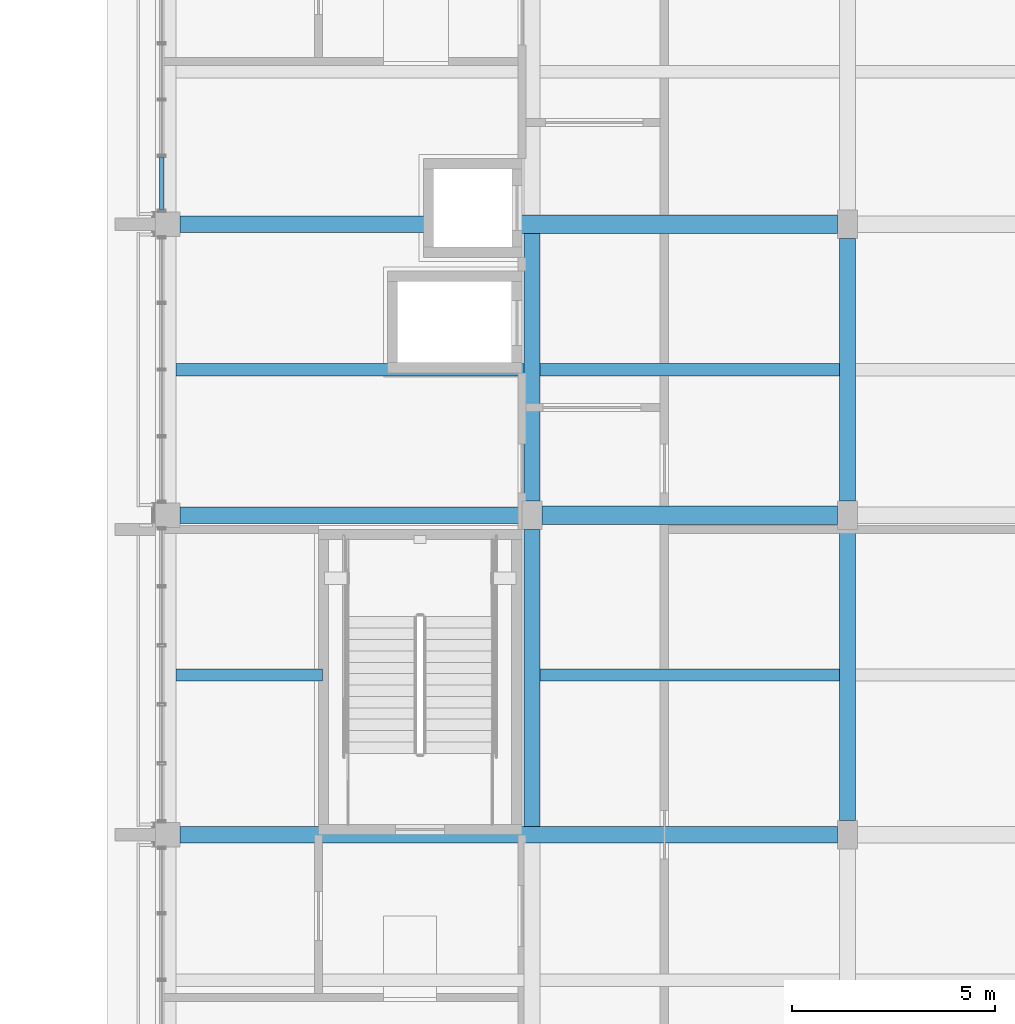
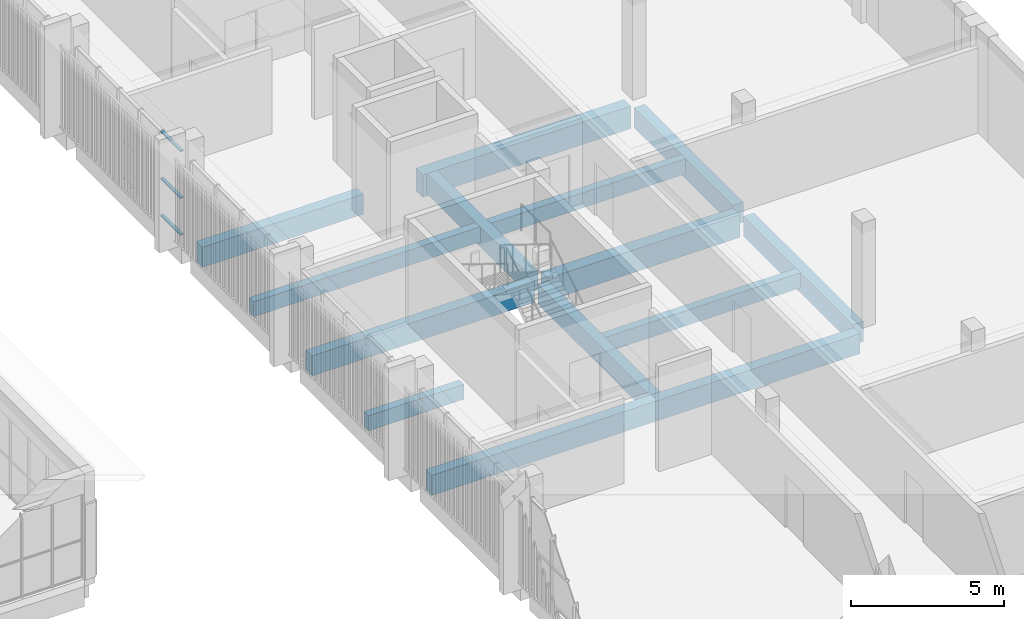
# One storey, part 31 of 92: 13 beams, 3 members, 1 element without a shape of its own.
"""IFC4 building model written with IfcOpenShell, lengths in metres."""

import ifcopenshell
import ifcopenshell.guid

model = None  # the IFC model being written
_history = None  # IfcOwnerHistory: only IFC2X3 demands one
_inside = {}  # id of a spatial element -> (the spatial element, [elements in it])
_under = {}  # id of a project, library or spatial element -> (it, [spatial elements below it])
_declared = {}  # id of a project -> (the project, [libraries it declares])
_typed = {}  # id of a type object -> (the type object, [elements of that type])
_made_of = {}  # id of a material, layer set ... -> (it, [elements and type objects made of it])


def new_model(schema):
    """Start an empty IFC model of exactly this schema.

    Asked for "IFC4X3", IfcOpenShell would pick the latest addendum, in which some entities
    have other attributes; the version numbers below select the first issue.
    IFC2X3 requires an IfcOwnerHistory on every rooted entity: one is made here for all.
    """
    global model, _history
    if schema == "IFC4X3":
        model = ifcopenshell.file(schema_version=(4, 3, 0, 0))
    else:
        model = ifcopenshell.file(schema=schema)
    _inside.clear()
    _under.clear()
    _declared.clear()
    _typed.clear()
    _made_of.clear()
    _history = None
    if model.schema == "IFC2X3":
        org = make("IfcOrganization", Name="unknown")
        user = make(
            "IfcPersonAndOrganization",
            ThePerson=make("IfcPerson", FamilyName="unknown"),
            TheOrganization=org,
        )
        app = make(
            "IfcApplication",
            ApplicationDeveloper=org,
            Version="unknown",
            ApplicationFullName="unknown",
            ApplicationIdentifier="unknown",
        )
        _history = make(
            "IfcOwnerHistory",
            OwningUser=user,
            OwningApplication=app,
            ChangeAction="ADDED",
            CreationDate=0,
        )
    return model


def make(cls, **values):
    """One entity of the class cls with the attributes given. An attribute that is None is left unset."""
    return model.create_entity(
        cls, **{name: value for name, value in values.items() if value is not None}
    )


def rooted(cls, **values):
    """An entity with a GlobalId (a new one), such as an element, a storey or a relation."""
    return make(cls, GlobalId=ifcopenshell.guid.new(), OwnerHistory=_history, **values)


def si_unit(unit_type, name, prefix=None):
    """IfcSIUnit, for example si_unit("LENGTHUNIT", "METRE", prefix="MILLI")."""
    return make("IfcSIUnit", UnitType=unit_type, Prefix=prefix, Name=name)


def assignment(units):
    """IfcUnitAssignment: the units of a project."""
    return None if units is None else make("IfcUnitAssignment", Units=units)


def point(xyz):
    """IfcCartesianPoint."""
    return None if xyz is None else make("IfcCartesianPoint", Coordinates=xyz)


def direction(xyz):
    """IfcDirection."""
    return None if xyz is None else make("IfcDirection", DirectionRatios=xyz)


def frame(location, z_axis=None, x_axis=None):
    """IfcAxis2Placement3D, a coordinate frame: its origin and axes. An axis left out is left unset."""
    return make(
        "IfcAxis2Placement3D",
        Location=point(location),
        Axis=direction(z_axis),
        RefDirection=direction(x_axis),
    )


def frame_2d(location, x_axis=None):
    """IfcAxis2Placement2D, a coordinate frame in the plane: its origin and x axis."""
    return make(
        "IfcAxis2Placement2D", Location=point(location), RefDirection=direction(x_axis)
    )


def origin():
    """The frame at (0, 0, 0) with its axes left unset."""
    return frame((0.0, 0.0, 0.0))


def origin_2d():
    """The frame at (0, 0) in the plane with its x axis left unset."""
    return frame_2d((0.0, 0.0))


def place(relative_to, where):
    """IfcLocalPlacement: puts the frame where relative to a parent placement (None: the world)."""
    return make(
        "IfcLocalPlacement", PlacementRelTo=relative_to, RelativePlacement=where
    )


def context(
    kind, dimensions, precision=None, world=None, true_north=None, identifier=None
):
    """IfcGeometricRepresentationContext, for example the 3D "Model" context."""
    return make(
        "IfcGeometricRepresentationContext",
        ContextIdentifier=identifier,
        ContextType=kind,
        CoordinateSpaceDimension=dimensions,
        Precision=precision,
        WorldCoordinateSystem=world,
        TrueNorth=true_north,
    )


def subcontext(parent, identifier, kind, view, scale=None):
    """IfcGeometricRepresentationSubContext, for example "Body" below "Model"."""
    return make(
        "IfcGeometricRepresentationSubContext",
        ContextIdentifier=identifier,
        ContextType=kind,
        ParentContext=parent,
        TargetScale=scale,
        TargetView=view,
    )


def project(units=None, contexts=None):
    """IfcProject with its units and contexts."""
    return rooted(
        "IfcProject",
        Name="project",
        RepresentationContexts=contexts,
        UnitsInContext=assignment(units),
    )


def spatial(cls, under=None, at=None, **own):
    """A site, building, storey or space (cls), placed at a placement, below another one or the project."""
    s = rooted(cls, ObjectPlacement=at, **own)
    if under is not None:
        _under.setdefault(under.id(), (under, []))[1].append(s)
    return s


def profile(cls, at=None, kind="AREA", **sizes):
    """A parametric profile (cls). Its sizes go by their IFC names, for example OverallWidth=200.0."""
    return make(cls, ProfileType=kind, Position=at, **sizes)


def rectangle(**sizes):
    """IfcRectangleProfileDef."""
    return profile("IfcRectangleProfileDef", **sizes)


def hollow_rectangle(**sizes):
    """IfcRectangleHollowProfileDef."""
    return profile("IfcRectangleHollowProfileDef", **sizes)


def extrude(swept, where, along, depth):
    """IfcExtrudedAreaSolid: the profile swept, set in the frame where, extruded along a direction by depth."""
    return make(
        "IfcExtrudedAreaSolid",
        SweptArea=swept,
        Position=where,
        ExtrudedDirection=direction(along),
        Depth=depth,
    )


def shape(context_of_items, identifier, shape_type, items):
    """IfcShapeRepresentation: the items that make up one representation, for example the "Body"."""
    return make(
        "IfcShapeRepresentation",
        ContextOfItems=context_of_items,
        RepresentationIdentifier=identifier,
        RepresentationType=shape_type,
        Items=items,
    )


def material(Name=None, Category=None):
    """IfcMaterial."""
    return make("IfcMaterial", Name=Name, Category=Category)


def material_profile(
    of_material, cross_section, Name=None, Category=None, Priority=None
):
    """IfcMaterialProfile: a cross section and its material."""
    return make(
        "IfcMaterialProfile",
        Name=Name,
        Material=of_material,
        Profile=cross_section,
        Priority=Priority,
        Category=Category,
    )


def profile_set(profiles, Name=None, composite=None):
    """IfcMaterialProfileSet."""
    return make(
        "IfcMaterialProfileSet",
        Name=Name,
        MaterialProfiles=profiles,
        CompositeProfile=composite,
    )


def made_of(thing, what):
    """Note that an element or type object is made of a material, layer set ...; save() writes the relation."""
    if what is not None:
        _made_of.setdefault(what.id(), (what, []))[1].append(thing)
    return thing


def type_object(cls, material=None, **own):
    """A type object (cls), such as IfcWallType, which elements share."""
    return made_of(rooted(cls, **own), material)


def element(
    cls,
    number,
    at=None,
    inside=None,
    cuts=None,
    type_object=None,
    material=None,
    context=None,
    identifier="Body",
    shape_type=None,
    held_by="IfcProductDefinitionShape",
    body=None,
    shapes=None,
    **own,
):
    """One element of the class cls, such as IfcWall. Its Tag is "e" and its number.

    at: its placement. inside: the storey or other place that contains it. cuts: it is an
    opening in that element (IfcRelVoidsElement). A single representation is given by context,
    identifier, shape_type and body (its items); several are given by shapes. held_by: the class
    of the entity that holds the representations. save() writes the other relations.
    """
    e = rooted(cls, Tag="e%d" % number, ObjectPlacement=at, **own)
    if body is not None:
        shapes = [shape(context, identifier, shape_type, body)]
    if shapes is not None:
        e.Representation = make(held_by, Representations=shapes)
    if inside is not None:
        _inside.setdefault(inside.id(), (inside, []))[1].append(e)
    if cuts is not None:
        rooted(
            "IfcRelVoidsElement", RelatingBuildingElement=cuts, RelatedOpeningElement=e
        )
    if type_object is not None:
        _typed.setdefault(type_object.id(), (type_object, []))[1].append(e)
    return made_of(e, material)


def aggregate(whole, parts):
    """IfcRelAggregates: a whole, such as a stair, and the parts it consists of."""
    return rooted("IfcRelAggregates", RelatingObject=whole, RelatedObjects=parts)


def save(model, path):
    """Write the relations noted so far, then the file.

    IfcRelAggregates (storeys below a building ...), IfcRelContainedInSpatialStructure (elements
    in a storey), IfcRelDefinesByType, IfcRelAssociatesMaterial and IfcRelDeclares: one each for
    every whole, place, type object, material and project.
    """
    for whole, parts in _under.values():
        aggregate(whole, parts)
    for where, things in _inside.values():
        rooted(
            "IfcRelContainedInSpatialStructure",
            RelatedElements=things,
            RelatingStructure=where,
        )
    for kind, things in _typed.values():
        rooted("IfcRelDefinesByType", RelatedObjects=things, RelatingType=kind)
    for what, things in _made_of.values():
        rooted("IfcRelAssociatesMaterial", RelatedObjects=things, RelatingMaterial=what)
    for by, libraries in _declared.values():
        rooted("IfcRelDeclares", RelatingContext=by, RelatedDefinitions=libraries)
    model.write(path)


model = new_model("IFC4")

# Units and contexts
model_context = context("Model", 3, precision=1e-05, world=origin(), true_north=direction((0.0, 1.0)))
body_context = subcontext(model_context, "Body", "Model", "MODEL_VIEW")
ifc_project = project(units=[si_unit("LENGTHUNIT", "METRE"), si_unit("AREAUNIT", "SQUARE_METRE"), si_unit("VOLUMEUNIT", "CUBIC_METRE"), si_unit("PLANEANGLEUNIT", "RADIAN"), si_unit("MASSUNIT", "GRAM", prefix="KILO")], contexts=[model_context])

# Site, building, storey
site_placement = place(None, origin())
site = spatial("IfcSite", under=ifc_project, at=site_placement, CompositionType="ELEMENT")
building_placement = place(site_placement, origin())
building = spatial("IfcBuilding", under=site, at=building_placement, Name="Sun Court Science Centre", CompositionType="ELEMENT")
storey_placement = place(building_placement, frame((0.0, 0.0, 11.25)))
storey = spatial("IfcBuildingStorey", under=building, at=storey_placement, Name="L02", CompositionType="ELEMENT", Elevation=11.25)

# Curtain wall, members
ifc_material_1 = material(Name="Aluminium EN AW-6063 T6", Category="aluminium")
curtain_wall_type = type_object("IfcCurtainWallType", Name="Laboratory tall bay curtain wall 1500", PredefinedType="NOTDEFINED", material=ifc_material_1)
curtain_wall_placement = place(storey_placement, origin())
curtain_wall = element("IfcCurtainWall", 1, at=curtain_wall_placement, inside=storey, type_object=curtain_wall_type, Name="Curtain wall V4 W L02 06", PredefinedType="NOTDEFINED")
ifc_material_2 = material(Name="Aluminium EN AW-6063 T6", Category="aluminium")
ifc_material_profile_1 = material_profile(ifc_material_2, hollow_rectangle(XDim=0.06005859375, YDim=0.1201171875, WallThickness=0.00390625, InnerFilletRadius=0.00390625, OuterFilletRadius=0.006103515625, at=origin_2d()), Name="AL 60x120x4")
ifc_profile_set_1 = profile_set([ifc_material_profile_1], Name="Aluminium EN AW-6063 T6")
member_type = type_object("IfcMemberType", Name="Curtain wall transom AL 60x120", PredefinedType="USERDEFINED", material=ifc_profile_set_1)
member_1_placement = place(storey_placement, frame((78.14990234375, 51.360107421875, 0.030029296875), z_axis=(0.0, 1.0, 0.0), x_axis=(0.0, 0.0, 1.0)))
member_1 = element("IfcMember", 2, at=member_1_placement, type_object=member_type, Name="CW2-24 transom 1.1", ObjectType="TRANSOM", PredefinedType="USERDEFINED", context=body_context, shape_type="SweptSolid", body=[
    extrude(hollow_rectangle(XDim=0.06005859375, YDim=0.1201171875, WallThickness=0.00390625, InnerFilletRadius=0.00390625, OuterFilletRadius=0.006103515625, at=origin_2d()), origin(), (0.0, 0.0, 1.0), 1.289794921875),
])
member_2_placement = place(storey_placement, frame((78.14990234375, 51.360107421875, 1.5), z_axis=(0.0, 1.0, 0.0), x_axis=(0.0, 0.0, 1.0)))
member_2 = element("IfcMember", 3, at=member_2_placement, type_object=member_type, Name="CW2-24 transom 1.2", ObjectType="TRANSOM", PredefinedType="USERDEFINED", context=body_context, shape_type="SweptSolid", body=[
    extrude(hollow_rectangle(XDim=0.06005859375, YDim=0.1201171875, WallThickness=0.00390625, InnerFilletRadius=0.00390625, OuterFilletRadius=0.006103515625, at=origin_2d()), origin(), (0.0, 0.0, 1.0), 1.289794921875),
])
member_3_placement = place(storey_placement, frame((78.14990234375, 51.360107421875, 3.3701171875), z_axis=(0.0, 1.0, 0.0), x_axis=(0.0, 0.0, 1.0)))
member_3 = element("IfcMember", 4, at=member_3_placement, type_object=member_type, Name="CW2-24 transom 1.3", ObjectType="TRANSOM", PredefinedType="USERDEFINED", context=body_context, shape_type="SweptSolid", body=[
    extrude(hollow_rectangle(XDim=0.06005859375, YDim=0.1201171875, WallThickness=0.00390625, InnerFilletRadius=0.00390625, OuterFilletRadius=0.006103515625, at=origin_2d()), origin(), (0.0, 0.0, 1.0), 1.289794921875),
])
aggregate(curtain_wall, [member_1, member_2, member_3])

# Beams
ifc_material_3 = material(Name="Concrete C25/30", Category="concrete")
ifc_material_profile_2 = material_profile(ifc_material_3, rectangle(XDim=0.39990234375, YDim=0.800048828125, at=origin_2d()), Name="RC 400x800")
ifc_profile_set_2 = profile_set([ifc_material_profile_2], Name="Concrete C25/30")
beam_type_1 = type_object("IfcBeamType", Name="RC girder 400x800", PredefinedType="BEAM", material=ifc_profile_set_2)
beam_1_placement = place(storey_placement, frame((78.60009765625, 36.0, -0.699951171875), z_axis=(1.0, 0.0, 0.0), x_axis=(0.0, 1.0, 0.0)))
element("IfcBeam", 5, at=beam_1_placement, inside=storey, type_object=beam_type_1, Name="Girder L02 row 5", PredefinedType="BEAM", context=body_context, shape_type="SweptSolid", body=[
    extrude(rectangle(XDim=0.39990234375, YDim=0.800048828125, at=origin_2d()), origin(), (0.0, 0.0, 1.0), 16.14990234375),
])
beam_2_placement = place(storey_placement, frame((78.60009765625, 43.85009765625, -0.699951171875), z_axis=(1.0, 0.0, 0.0), x_axis=(0.0, 1.0, 0.0)))
element("IfcBeam", 6, at=beam_2_placement, inside=storey, type_object=beam_type_1, Name="Girder L02 row 6", PredefinedType="BEAM", context=body_context, shape_type="SweptSolid", body=[
    extrude(rectangle(XDim=0.39990234375, YDim=0.800048828125, at=origin_2d()), origin(), (0.0, 0.0, 1.0), 8.39990234375),
])
beam_3_placement = place(storey_placement, frame((78.60009765625, 51.0, -0.699951171875), z_axis=(1.0, 0.0, 0.0), x_axis=(0.0, 1.0, 0.0)))
element("IfcBeam", 7, at=beam_3_placement, inside=storey, type_object=beam_type_1, Name="Girder L02 row 7", PredefinedType="BEAM", context=body_context, shape_type="SweptSolid", body=[
    extrude(rectangle(XDim=0.39990234375, YDim=0.800048828125, at=origin_2d()), origin(), (0.0, 0.0, 1.0), 6.077392578125),
])
beam_4_placement = place(storey_placement, frame((87.25, 36.199951171875, -0.699951171875), z_axis=(0.0, 1.0, 0.0), x_axis=(-1.0, 0.0, 0.0)))
element("IfcBeam", 8, at=beam_4_placement, inside=storey, type_object=beam_type_1, Name="Girder L02 line 2", PredefinedType="BEAM", context=body_context, shape_type="SweptSolid", body=[
    extrude(rectangle(XDim=0.39990234375, YDim=0.800048828125, at=origin_2d()), origin(), (0.0, 0.0, 1.0), 7.300048828125),
])
beam_5_placement = place(storey_placement, frame((87.25, 44.199951171875, -0.699951171875), z_axis=(0.0, 1.0, 0.0), x_axis=(-1.0, 0.0, 0.0)))
element("IfcBeam", 9, at=beam_5_placement, inside=storey, type_object=beam_type_1, Name="Girder L02 line 2", PredefinedType="BEAM", context=body_context, shape_type="SweptSolid", body=[
    extrude(rectangle(XDim=0.39990234375, YDim=0.800048828125, at=origin_2d()), origin(), (0.0, 0.0, 1.0), 6.574951171875),
])
beam_6_placement = place(storey_placement, frame((95.0, 36.35009765625, -0.699951171875), z_axis=(0.0, 1.0, 0.0), x_axis=(-1.0, 0.0, 0.0)))
element("IfcBeam", 10, at=beam_6_placement, inside=storey, type_object=beam_type_1, Name="Girder L02 line 3", PredefinedType="BEAM", context=body_context, shape_type="SweptSolid", body=[
    extrude(rectangle(XDim=0.39990234375, YDim=0.800048828125, at=origin_2d()), origin(), (0.0, 0.0, 1.0), 7.14990234375),
])
beam_7_placement = place(storey_placement, frame((95.0, 44.199951171875, -0.699951171875), z_axis=(0.0, 1.0, 0.0), x_axis=(-1.0, 0.0, 0.0)))
element("IfcBeam", 11, at=beam_7_placement, inside=storey, type_object=beam_type_1, Name="Girder L02 line 3", PredefinedType="BEAM", context=body_context, shape_type="SweptSolid", body=[
    extrude(rectangle(XDim=0.39990234375, YDim=0.800048828125, at=origin_2d()), origin(), (0.0, 0.0, 1.0), 6.449951171875),
])
ifc_material_4 = material(Name="Concrete C25/30", Category="concrete")
ifc_material_profile_3 = material_profile(ifc_material_4, rectangle(XDim=0.449951171875, YDim=0.89990234375, at=origin_2d()), Name="RC 450x900")
ifc_profile_set_3 = profile_set([ifc_material_profile_3], Name="Concrete C25/30")
beam_type_2 = type_object("IfcBeamType", Name="RC girder 450x900", PredefinedType="BEAM", material=ifc_profile_set_3)
beam_8_placement = place(storey_placement, frame((87.5, 43.85009765625, -0.75), z_axis=(1.0, 0.0, 0.0), x_axis=(0.0, 1.0, 0.0)))
element("IfcBeam", 12, at=beam_8_placement, inside=storey, type_object=beam_type_2, Name="Girder L02 row 6", PredefinedType="BEAM", context=body_context, shape_type="SweptSolid", body=[
    extrude(rectangle(XDim=0.449951171875, YDim=0.89990234375, at=origin_2d()), origin(), (0.0, 0.0, 1.0), 7.25),
])
beam_9_placement = place(storey_placement, frame((86.902587890625, 51.0, -0.75), z_axis=(1.0, 0.0, 0.0), x_axis=(0.0, 1.0, 0.0)))
element("IfcBeam", 13, at=beam_9_placement, inside=storey, type_object=beam_type_2, Name="Girder L02 row 7", PredefinedType="BEAM", context=body_context, shape_type="SweptSolid", body=[
    extrude(rectangle(XDim=0.449951171875, YDim=0.89990234375, at=origin_2d()), origin(), (0.0, 0.0, 1.0), 7.847412109375),
])
ifc_material_5 = material(Name="Concrete C25/30", Category="concrete")
ifc_material_profile_4 = material_profile(ifc_material_5, rectangle(XDim=0.300048828125, YDim=0.60009765625, at=origin_2d()), Name="RC 300x600")
ifc_profile_set_4 = profile_set([ifc_material_profile_4], Name="Concrete C25/30")
beam_type_3 = type_object("IfcBeamType", Name="RC joist 300x600", PredefinedType="JOIST", material=ifc_profile_set_4)
beam_10_placement = place(storey_placement, frame((78.5, 39.925048828125, -0.60009765625), z_axis=(1.0, 0.0, 0.0), x_axis=(0.0, 1.0, 0.0)))
element("IfcBeam", 14, at=beam_10_placement, inside=storey, type_object=beam_type_3, Name="Joist L02", PredefinedType="JOIST", context=body_context, shape_type="SweptSolid", body=[
    extrude(rectangle(XDim=0.300048828125, YDim=0.60009765625, at=origin_2d()), origin(), (0.0, 0.0, 1.0), 3.60009765625),
])
beam_11_placement = place(storey_placement, frame((87.449951171875, 39.925048828125, -0.60009765625), z_axis=(1.0, 0.0, 0.0), x_axis=(0.0, 1.0, 0.0)))
element("IfcBeam", 15, at=beam_11_placement, inside=storey, type_object=beam_type_3, Name="Joist L02", PredefinedType="JOIST", context=body_context, shape_type="SweptSolid", body=[
    extrude(rectangle(XDim=0.300048828125, YDim=0.60009765625, at=origin_2d()), origin(), (0.0, 0.0, 1.0), 7.35009765625),
])
beam_12_placement = place(storey_placement, frame((78.5, 47.425048828125, -0.60009765625), z_axis=(1.0, 0.0, 0.0), x_axis=(0.0, 1.0, 0.0)))
element("IfcBeam", 16, at=beam_12_placement, inside=storey, type_object=beam_type_3, Name="Joist L02", PredefinedType="JOIST", context=body_context, shape_type="SweptSolid", body=[
    extrude(rectangle(XDim=0.300048828125, YDim=0.60009765625, at=origin_2d()), origin(), (0.0, 0.0, 1.0), 8.550048828125),
])
beam_13_placement = place(storey_placement, frame((87.449951171875, 47.425048828125, -0.60009765625), z_axis=(1.0, 0.0, 0.0), x_axis=(0.0, 1.0, 0.0)))
element("IfcBeam", 17, at=beam_13_placement, inside=storey, type_object=beam_type_3, Name="Joist L02", PredefinedType="JOIST", context=body_context, shape_type="SweptSolid", body=[
    extrude(rectangle(XDim=0.300048828125, YDim=0.60009765625, at=origin_2d()), origin(), (0.0, 0.0, 1.0), 7.35009765625),
])

save(model, "model.ifc")
